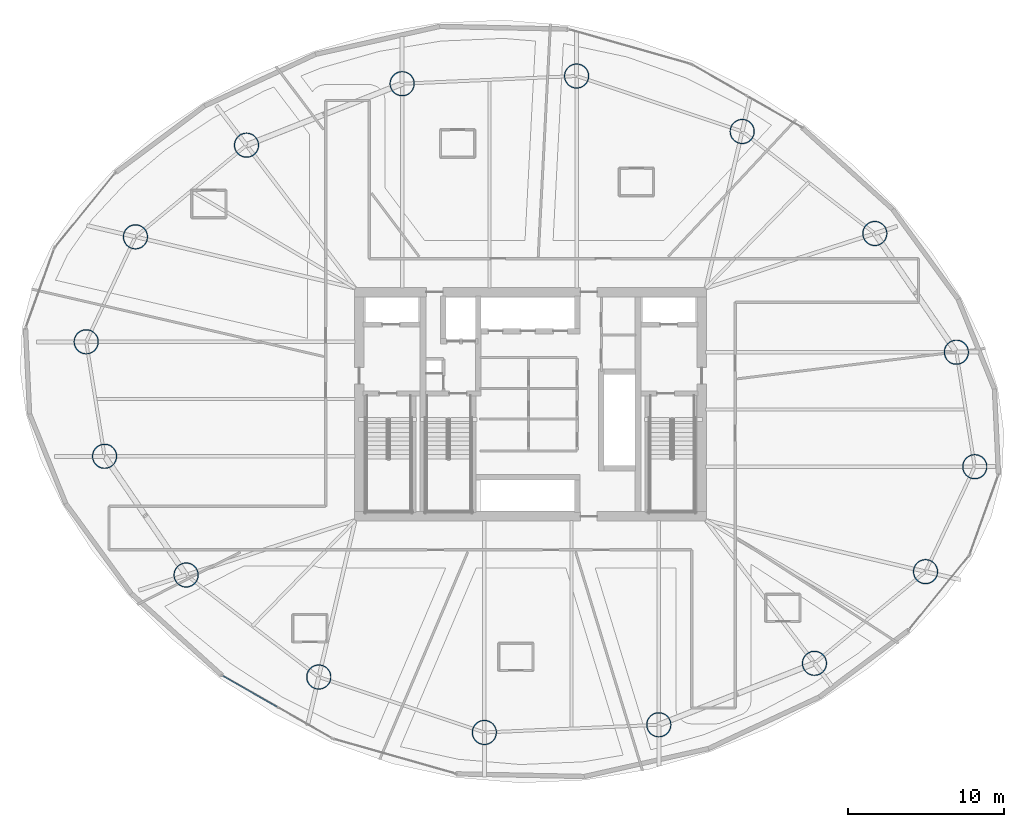
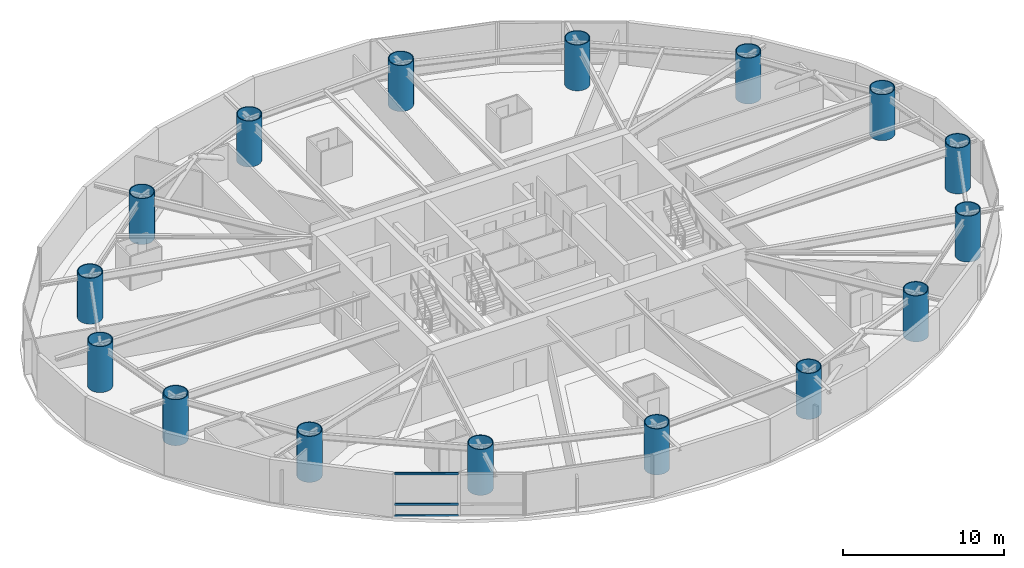
# One storey, part 1 of 23: 16 columns, 3 members, 1 element without a shape of its own.
"""IFC4 building model written with IfcOpenShell, lengths in metres."""

from ifc_helpers import new_model, si_unit, direction, frame, origin, origin_2d, place, context, subcontext, project, spatial, hollow_rectangle, hollow_circle, extrude, material, layer, layer_set, material_profile, profile_set, type_object, element, aggregate, save


model = new_model("IFC4")

# Units and contexts
model_context = context("Model", 3, precision=1e-05, world=origin(), true_north=direction((0.0, 1.0)))
body_context = subcontext(model_context, "Body", "Model", "MODEL_VIEW")
ifc_project = project(units=[si_unit("LENGTHUNIT", "METRE"), si_unit("AREAUNIT", "SQUARE_METRE"), si_unit("VOLUMEUNIT", "CUBIC_METRE"), si_unit("PLANEANGLEUNIT", "RADIAN"), si_unit("MASSUNIT", "GRAM", prefix="KILO")], contexts=[model_context])

# Site, building, storey
site_placement = place(None, origin())
site = spatial("IfcSite", under=ifc_project, at=site_placement, CompositionType="ELEMENT")
building_placement = place(site_placement, origin())
building = spatial("IfcBuilding", under=site, at=building_placement, Name="Bramvorn Convention Spire", CompositionType="ELEMENT")
storey_placement = place(building_placement, frame((0.0, 0.0, 69.39990234375)))
storey = spatial("IfcBuildingStorey", under=building, at=storey_placement, Name="L15", CompositionType="ELEMENT", Elevation=69.39990234375)

# Columns
ifc_material_1 = material(Name="Steel CSA G40.21 Grade 350 (350W)", Category="steel")
ifc_material_profile_1 = material_profile(ifc_material_1, hollow_circle(Radius=0.800048828125, WallThickness=0.06005859375, at=origin_2d()))
ifc_profile_set_1 = profile_set([ifc_material_profile_1], Name="Steel CSA G40.21 Grade 350 (350W) - CFT1600X60")
column_type = type_object("IfcColumnType", Name="COL-CFT1600X60", PredefinedType="COLUMN", material=ifc_profile_set_1)
for number, where, z_axis, x_axis, name in (
    (1, (66.519775390625, 21.99169921875, 0.0), (0.0, 0.0, 1.0), (1.0, 0.0, 0.0), "L15 composite CFT mega-column MC01"),
    (2, (65.338623046875, 29.340087890625, 0.0), (0.0, 0.0, 1.0), (1.0, 0.0, 0.0), "L15 composite CFT mega-column MC02"),
    (3, (60.105224609375, 36.960205078125, 0.0), (0.0, 0.0, 1.0), (1.0, 0.0, 0.0), "L15 composite CFT mega-column MC03"),
    (4, (51.59033203125, 43.509033203125, 0.0), (0.0, 0.0, 1.0), (1.0, 0.0, 0.0), "L15 composite CFT mega-column MC04"),
    (5, (40.9609375, 47.06884765625, 0.0), (0.0, 0.0, 1.0), (1.0, 0.0, 0.0), "L15 composite CFT mega-column MC05"),
    (6, (29.76220703125, 46.57666015625, 0.0), (0.0, 0.0, 1.0), (1.0, 0.0, 0.0), "L15 composite CFT mega-column MC06"),
    (7, (19.772216796875, 42.628662109375, 0.0), (0.0, 0.0, 1.0), (1.0, 0.0, 0.0), "L15 composite CFT mega-column MC07"),
    (8, (12.64111328125, 36.746337890625, 0.0), (0.0, 0.0, 1.0), (1.0, 0.0, 0.0), "L15 composite CFT mega-column MC08"),
    (9, (9.480224609375, 30.00830078125, 0.0), (0.0, 0.0, 1.0), (1.0, 0.0, 0.0), "L15 composite CFT mega-column MC09"),
    (10, (10.661376953125, 22.659912109375, 0.0), (0.0, 0.0, 1.0), (1.0, 0.0, 0.0), "L15 composite CFT mega-column MC10"),
    (11, (15.894775390625, 15.039794921875, 0.0), (0.0, 0.0, 1.0), (1.0, 0.0, 0.0), "L15 composite CFT mega-column MC11"),
    (12, (24.40966796875, 8.490966796875, 0.0), (0.0, 0.0, 1.0), (1.0, 0.0, 0.0), "L15 composite CFT mega-column MC12"),
    (13, (35.0390625, 4.93115234375, 0.0), (0.0, 0.0, 1.0), (1.0, 0.0, 0.0), "L15 composite CFT mega-column MC13"),
    (14, (46.23779296875, 5.42333984375, 0.0), (0.0, 0.0, 1.0), (1.0, 0.0, 0.0), "L15 composite CFT mega-column MC14"),
    (15, (56.227783203125, 9.371337890625, 0.0), (0.0, 0.0, 1.0), (1.0, 0.0, 0.0), "L15 composite CFT mega-column MC15"),
    (16, (63.35888671875, 15.253662109375, 0.0), (0.0, 0.0, 1.0), (1.0, 0.0, 0.0), "L15 composite CFT mega-column MC16"),
):
    element("IfcColumn", number, at=place(storey_placement, frame(where, z_axis=z_axis, x_axis=x_axis)), inside=storey, type_object=column_type, Name=name, PredefinedType="COLUMN", context=body_context, shape_type="SweptSolid", body=[
        extrude(hollow_circle(Radius=0.800048828125, WallThickness=0.06005859375, at=origin_2d()), origin(), (0.0, 0.0, 1.0), 3.5),
    ])

# Curtain wall, members
ifc_material_2 = material(Name="Anodised Bronze Unitised Curtain Wall", Category="aluminium")
ifc_layer = layer(ifc_material_2, 0.179931640625)
ifc_layer_set = layer_set([ifc_layer], Name="Anodised Bronze Unitised Curtain Wall - CW-HTL-FRIT")
curtain_wall_type = type_object("IfcCurtainWallType", Name="CW-HTL-FRIT", PredefinedType="USERDEFINED", material=ifc_layer_set)
curtain_wall_placement = place(storey_placement, origin())
curtain_wall = element("IfcCurtainWall", 17, at=curtain_wall_placement, inside=storey, type_object=curtain_wall_type, Name="L15 fritted glass curtain wall 17", ObjectType="UNITISED CURTAIN WALL", PredefinedType="USERDEFINED")
ifc_material_3 = material(Name="Anodised Bronze Aluminium 6063-T6", Category="aluminium")
ifc_material_profile_2 = material_profile(ifc_material_3, hollow_rectangle(XDim=0.080078125, YDim=0.159912109375, WallThickness=0.00390625, InnerFilletRadius=0.0009765625, OuterFilletRadius=0.00390625, at=origin_2d()))
ifc_profile_set_2 = profile_set([ifc_material_profile_2], Name="Anodised Bronze Aluminium 6063-T6 - CWT80X160")
member_type = type_object("IfcMemberType", Name="CW-TRN-150", PredefinedType="USERDEFINED", material=ifc_profile_set_2)
member_1_placement = place(storey_placement, frame((21.721923828125, 6.5791015625, 0.030029296875), z_axis=(-0.8679684963, 0.496619260028, 0.0), x_axis=(-0.496619260028, -0.8679684963, 0.0)))
member_1 = element("IfcMember", 18, at=member_1_placement, type_object=member_type, Name="CW2 transom 2.1", ObjectType="TRANSOM", PredefinedType="USERDEFINED", context=body_context, shape_type="SweptSolid", body=[
    extrude(hollow_rectangle(XDim=0.080078125, YDim=0.159912109375, WallThickness=0.00390625, InnerFilletRadius=0.0009765625, OuterFilletRadius=0.00390625, at=origin_2d()), origin(), (0.0, 0.0, 1.0), 3.995361328125),
])
member_2_placement = place(storey_placement, frame((21.721923828125, 6.5791015625, 0.900146484375), z_axis=(-0.8679684963, 0.496619260028, 0.0), x_axis=(-0.496619260028, -0.8679684963, 0.0)))
member_2 = element("IfcMember", 19, at=member_2_placement, type_object=member_type, Name="CW2 transom 2.2", ObjectType="TRANSOM", PredefinedType="USERDEFINED", context=body_context, shape_type="SweptSolid", body=[
    extrude(hollow_rectangle(XDim=0.080078125, YDim=0.159912109375, WallThickness=0.00390625, InnerFilletRadius=0.0009765625, OuterFilletRadius=0.00390625, at=origin_2d()), origin(), (0.0, 0.0, 1.0), 3.995361328125),
])
member_3_placement = place(storey_placement, frame((21.721923828125, 6.5791015625, 3.22021484375), z_axis=(-0.8679684963, 0.496619260028, 0.0), x_axis=(-0.496619260028, -0.8679684963, 0.0)))
member_3 = element("IfcMember", 20, at=member_3_placement, type_object=member_type, Name="CW2 transom 2.3", ObjectType="TRANSOM", PredefinedType="USERDEFINED", context=body_context, shape_type="SweptSolid", body=[
    extrude(hollow_rectangle(XDim=0.080078125, YDim=0.159912109375, WallThickness=0.00390625, InnerFilletRadius=0.0009765625, OuterFilletRadius=0.00390625, at=origin_2d()), origin(), (0.0, 0.0, 1.0), 3.995361328125),
])
aggregate(curtain_wall, [member_1, member_2, member_3])

save(model, "model.ifc")
